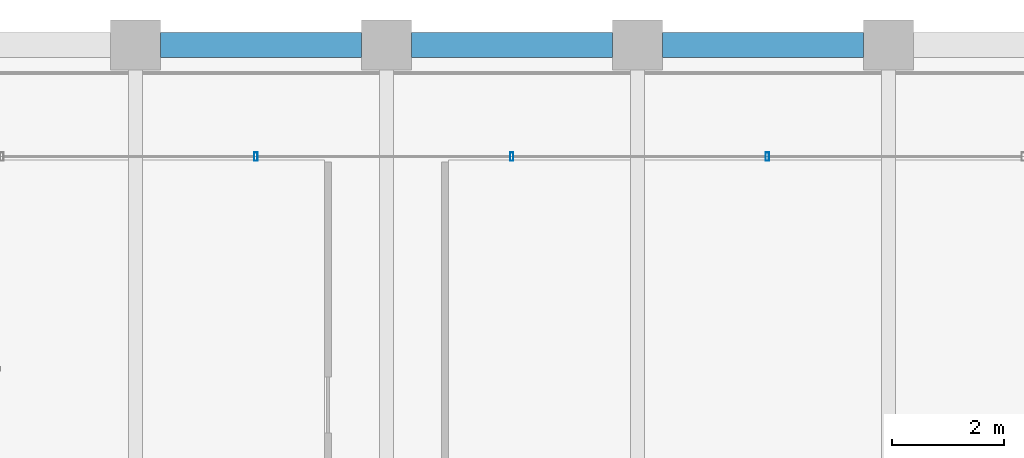
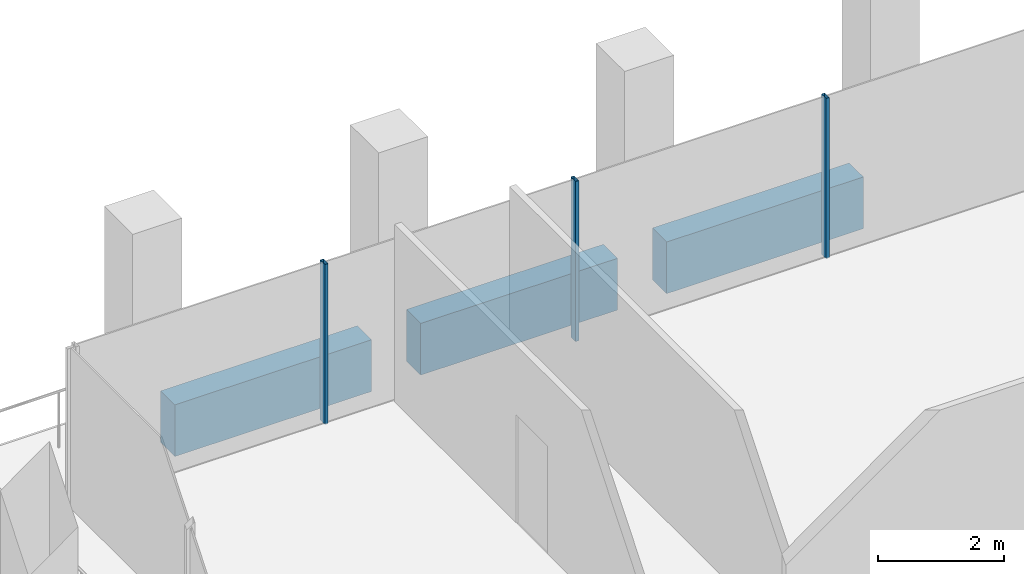
# One storey, part 23 of 40: 3 beams, 3 members, 1 element without a shape of its own.
"""IFC4 building model written with IfcOpenShell, lengths in metres."""

from ifc_helpers import new_model, si_unit, direction, frame, origin, origin_2d, place, context, subcontext, project, spatial, rectangle, hollow_rectangle, extrude, material, material_profile, profile_set, type_object, element, aggregate, save


model = new_model("IFC4")

# Units and contexts
model_context = context("Model", 3, precision=1e-05, world=origin(), true_north=direction((0.0, 1.0)))
body_context = subcontext(model_context, "Body", "Model", "MODEL_VIEW")
ifc_project = project(units=[si_unit("LENGTHUNIT", "METRE"), si_unit("AREAUNIT", "SQUARE_METRE"), si_unit("VOLUMEUNIT", "CUBIC_METRE"), si_unit("PLANEANGLEUNIT", "RADIAN"), si_unit("MASSUNIT", "GRAM", prefix="KILO")], contexts=[model_context])

# Site, building, storey
site_placement = place(None, origin())
site = spatial("IfcSite", under=ifc_project, at=site_placement, CompositionType="ELEMENT")
building_placement = place(site_placement, origin())
building = spatial("IfcBuilding", under=site, at=building_placement, Name="Altepetl Exchange Towers", CompositionType="ELEMENT")
storey_placement = place(building_placement, frame((0.0, 0.0, 154.60009765625)))
storey = spatial("IfcBuildingStorey", under=building, at=storey_placement, Name="L38", CompositionType="ELEMENT", Elevation=154.60009765625)

# Curtain wall, members
ifc_material_1 = material(Name="Aluminium 6063-T6 glazing", Category="aluminium")
curtain_wall_type = type_object("IfcCurtainWallType", Name="Loggia glazing system", PredefinedType="NOTDEFINED", material=ifc_material_1)
curtain_wall_placement = place(storey_placement, origin())
curtain_wall = element("IfcCurtainWall", 1, at=curtain_wall_placement, inside=storey, type_object=curtain_wall_type, Name="CW1 run", PredefinedType="NOTDEFINED")
ifc_material_2 = material(Name="Aluminium 6063-T6", Category="aluminium")
ifc_material_profile_1 = material_profile(ifc_material_2, hollow_rectangle(XDim=0.06005859375, YDim=0.14990234375, WallThickness=0.0029296875, at=origin_2d()), Name="Mullion 60x150 aluminium")
ifc_profile_set_1 = profile_set([ifc_material_profile_1], Name="Aluminium 6063-T6")
member_type = type_object("IfcMemberType", Name="Mullion 60x150 aluminium", PredefinedType="MULLION", material=ifc_profile_set_1)
member_1_placement = place(storey_placement, frame((56.330078125, 70.0, 0.0), z_axis=(0.0, 0.0, 1.0), x_axis=(-1.0, 0.0, 0.0)))
member_1 = element("IfcMember", 2, at=member_1_placement, type_object=member_type, Name="MU1 mullion", PredefinedType="MULLION", context=body_context, shape_type="SweptSolid", body=[
    extrude(hollow_rectangle(XDim=0.06005859375, YDim=0.14990234375, WallThickness=0.0029296875, at=origin_2d()), origin(), (0.0, 0.0, 1.0), 3.099853515625),
])
member_2_placement = place(storey_placement, frame((51.7451171875, 70.0, 0.0), z_axis=(0.0, 0.0, 1.0), x_axis=(-1.0, 0.0, 0.0)))
member_2 = element("IfcMember", 3, at=member_2_placement, type_object=member_type, Name="MU1 mullion", PredefinedType="MULLION", context=body_context, shape_type="SweptSolid", body=[
    extrude(hollow_rectangle(XDim=0.06005859375, YDim=0.14990234375, WallThickness=0.0029296875, at=origin_2d()), origin(), (0.0, 0.0, 1.0), 3.099853515625),
])
member_3_placement = place(storey_placement, frame((47.159912109375, 70.0, 0.0), z_axis=(0.0, 0.0, 1.0), x_axis=(-1.0, 0.0, 0.0)))
member_3 = element("IfcMember", 4, at=member_3_placement, type_object=member_type, Name="MU1 mullion", PredefinedType="MULLION", context=body_context, shape_type="SweptSolid", body=[
    extrude(hollow_rectangle(XDim=0.06005859375, YDim=0.14990234375, WallThickness=0.0029296875, at=origin_2d()), origin(), (0.0, 0.0, 1.0), 3.099853515625),
])
aggregate(curtain_wall, [member_1, member_2, member_3])

# Beams
ifc_material_3 = material(Name="Concrete C50/60 precast with cantera rosa facing", Category="concrete")
ifc_material_profile_2 = material_profile(ifc_material_3, rectangle(XDim=0.449951171875, YDim=1.0, at=origin_2d()), Name="450 x 1000")
ifc_profile_set_2 = profile_set([ifc_material_profile_2], Name="Concrete C50/60 precast with cantera rosa facing")
beam_type = type_object("IfcBeamType", Name="Spandrel beam 450x1000 cantera rosa", PredefinedType="SPANDREL", material=ifc_profile_set_2)
for number, where, z_axis, x_axis, name in (
    (5, (58.050048828125, 72.0, -0.650146484375), (-1.0, 0.0, 0.0), (0.0, -1.0, 0.0), "sp:A:L38:026"),
    (6, (53.550048828125, 72.0, -0.650146484375), (-1.0, 0.0, 0.0), (0.0, -1.0, 0.0), "sp:A:L38:027"),
    (7, (49.050048828125, 72.0, -0.650146484375), (-1.0, 0.0, 0.0), (0.0, -1.0, 0.0), "sp:A:L38:028"),
):
    element("IfcBeam", number, at=place(storey_placement, frame(where, z_axis=z_axis, x_axis=x_axis)), inside=storey, type_object=beam_type, Name=name, PredefinedType="SPANDREL", context=body_context, shape_type="SweptSolid", body=[
        extrude(rectangle(XDim=0.449951171875, YDim=1.0, at=origin_2d()), origin(), (0.0, 0.0, 1.0), 3.60009765625),
    ])

save(model, "model.ifc")
